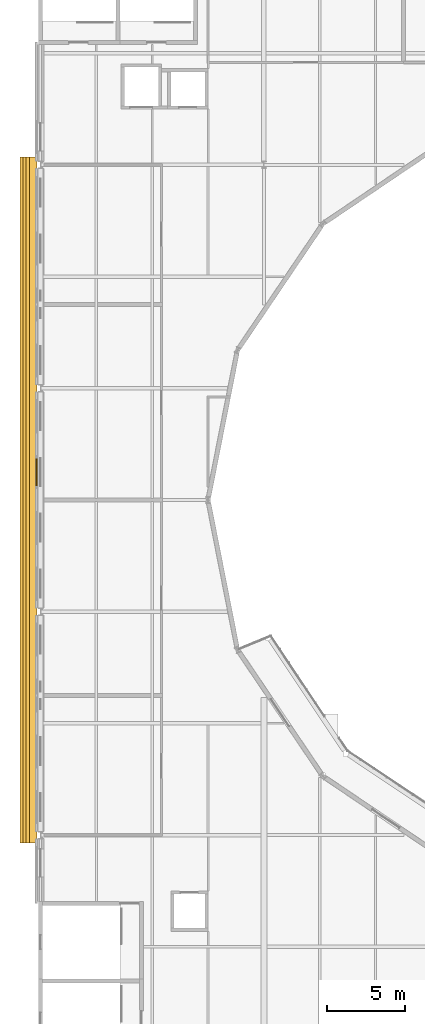
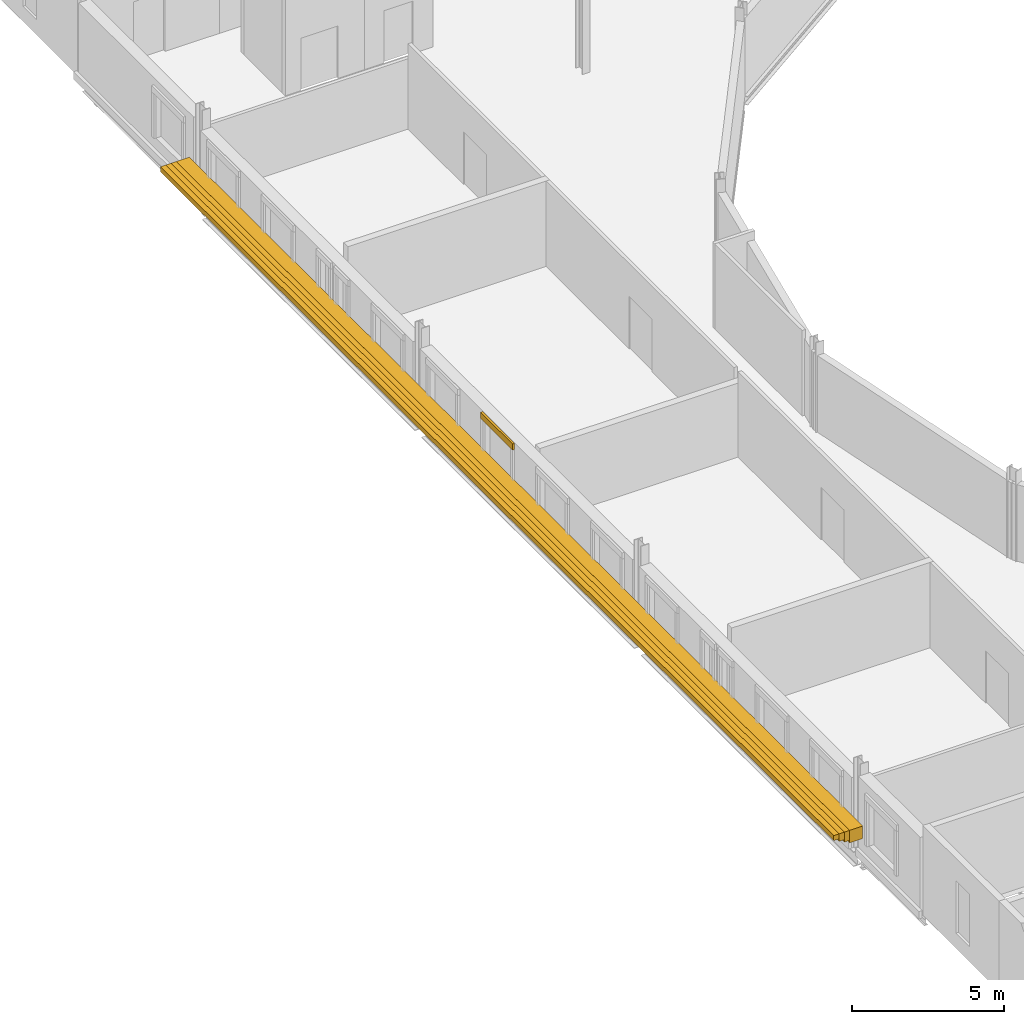
# One storey, part 116 of 142: 5 coverings.
"""IFC4 building model written with IfcOpenShell, lengths in metres."""

from ifc_helpers import new_model, si_unit, direction, frame, origin, origin_2d, place, context, subcontext, project, spatial, rectangle, extrude, material, layer, layer_set, type_object, element, save


model = new_model("IFC4")

# Units and contexts
model_context = context("Model", 3, precision=1e-05, world=origin(), true_north=direction((0.0, 1.0)))
body_context = subcontext(model_context, "Body", "Model", "MODEL_VIEW")
ifc_project = project(units=[si_unit("LENGTHUNIT", "METRE"), si_unit("AREAUNIT", "SQUARE_METRE"), si_unit("VOLUMEUNIT", "CUBIC_METRE"), si_unit("PLANEANGLEUNIT", "RADIAN"), si_unit("MASSUNIT", "GRAM", prefix="KILO")], contexts=[model_context])

# Site, building, storey
site_placement = place(None, origin())
site = spatial("IfcSite", under=ifc_project, at=site_placement, CompositionType="ELEMENT")
building_placement = place(site_placement, origin())
building = spatial("IfcBuilding", under=site, at=building_placement, Name="Kupolbacken Congress Centre", CompositionType="ELEMENT")
storey_placement = place(building_placement, frame((0.0, 0.0, 14.39990234375)))
storey = spatial("IfcBuildingStorey", under=building, at=storey_placement, Name="L04", CompositionType="ELEMENT", Elevation=14.39990234375)

# Coverings
ifc_material_1 = material(Name="Limestone cladding", Category="masonry")
ifc_layer_1 = layer(ifc_material_1, 0.1201171875)
ifc_layer_set_1 = layer_set([ifc_layer_1], Name="Limestone cladding")
covering_type_1 = type_object("IfcCoveringType", Name="CV1 limestone cladding band 120", PredefinedType="CLADDING", material=ifc_layer_set_1)
covering_1_placement = place(storey_placement, frame((6.93994140625, 88.199951171875, 2.550048828125), z_axis=(0.0, 0.0, 1.0), x_axis=(0.0, -1.0, 0.0)))
element("IfcCovering", 1, at=covering_1_placement, inside=storey, type_object=covering_type_1, Name="E/P/W/L04/452/W3/hd", PredefinedType="CLADDING", context=body_context, shape_type="SweptSolid", body=[
    extrude(rectangle(XDim=2.10009765625, YDim=0.080078125, at=origin_2d()), origin(), (0.0, 0.0, 1.0), 0.25),
])
ifc_material_2 = material(Name="Limestone cladding", Category="masonry")
ifc_layer_2 = layer(ifc_material_2, 0.5)
ifc_layer_set_2 = layer_set([ifc_layer_2], Name="Limestone cladding")
covering_type_2 = type_object("IfcCoveringType", Name="CV10 limestone cornice 500", PredefinedType="CLADDING", material=ifc_layer_set_2)
covering_2_placement = place(storey_placement, frame((6.72998046875, 86.39990234375, 0.820068359375), z_axis=(0.0, 0.0, 1.0), x_axis=(0.0, 1.0, 0.0)))
element("IfcCovering", 2, at=covering_2_placement, inside=storey, type_object=covering_type_2, Name="F/P/W/cornice", PredefinedType="CLADDING", context=body_context, shape_type="SweptSolid", body=[
    extrude(rectangle(XDim=44.199951171875, YDim=0.5, at=origin_2d()), origin(), (0.0, 0.0, 1.0), 0.5),
])
ifc_material_3 = material(Name="Limestone cladding", Category="masonry")
ifc_layer_3 = layer(ifc_material_3, 0.199951171875)
ifc_layer_set_3 = layer_set([ifc_layer_3], Name="Limestone cladding")
covering_type_3 = type_object("IfcCoveringType", Name="CV9 limestone drum arch frame 200", PredefinedType="CLADDING", material=ifc_layer_set_3)
covering_3_placement = place(storey_placement, frame((6.3798828125, 86.39990234375, 0.920166015625), z_axis=(0.0, 0.0, 1.0), x_axis=(0.0, 1.0, 0.0)))
element("IfcCovering", 3, at=covering_3_placement, inside=storey, type_object=covering_type_3, Name="F/HR/P/W/cornice2", PredefinedType="CLADDING", context=body_context, shape_type="SweptSolid", body=[
    extrude(rectangle(XDim=44.199951171875, YDim=0.199951171875, at=origin_2d()), origin(), (0.0, 0.0, 1.0), 0.39990234375),
])
covering_4_placement = place(storey_placement, frame((6.179931640625, 86.39990234375, 1.02001953125), z_axis=(0.0, 0.0, 1.0), x_axis=(0.0, 1.0, 0.0)))
element("IfcCovering", 4, at=covering_4_placement, inside=storey, type_object=covering_type_3, Name="F/HR/P/W/cornice3", PredefinedType="CLADDING", context=body_context, shape_type="SweptSolid", body=[
    extrude(rectangle(XDim=44.199951171875, YDim=0.199951171875, at=origin_2d()), origin(), (0.0, 0.0, 1.0), 0.300048828125),
])
covering_5_placement = place(storey_placement, frame((5.97998046875, 86.39990234375, 1.1201171875), z_axis=(0.0, 0.0, 1.0), x_axis=(0.0, 1.0, 0.0)))
element("IfcCovering", 5, at=covering_5_placement, inside=storey, type_object=covering_type_3, Name="F/HR/P/W/cornice4", PredefinedType="CLADDING", context=body_context, shape_type="SweptSolid", body=[
    extrude(rectangle(XDim=44.199951171875, YDim=0.199951171875, at=origin_2d()), origin(), (0.0, 0.0, 1.0), 0.199951171875),
])

save(model, "model.ifc")
